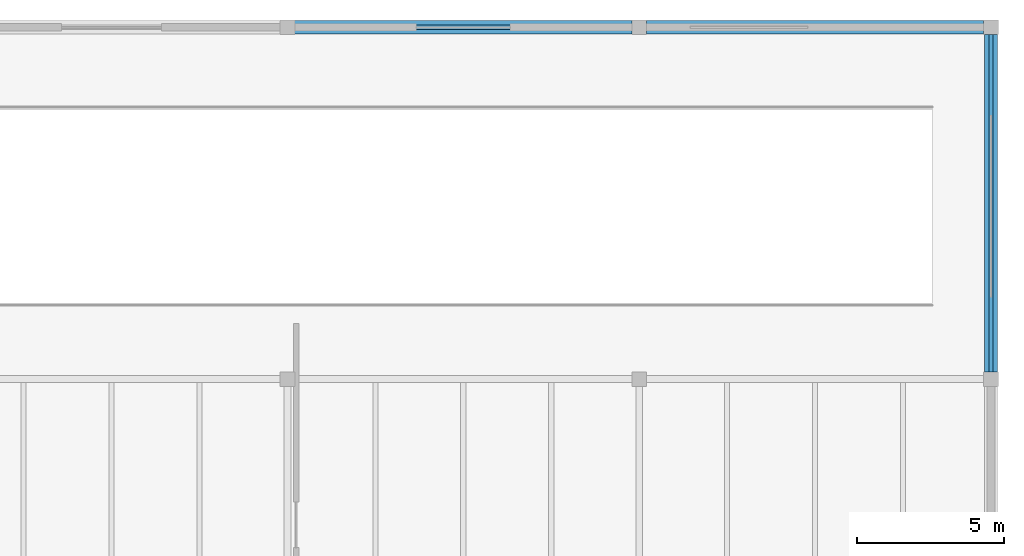
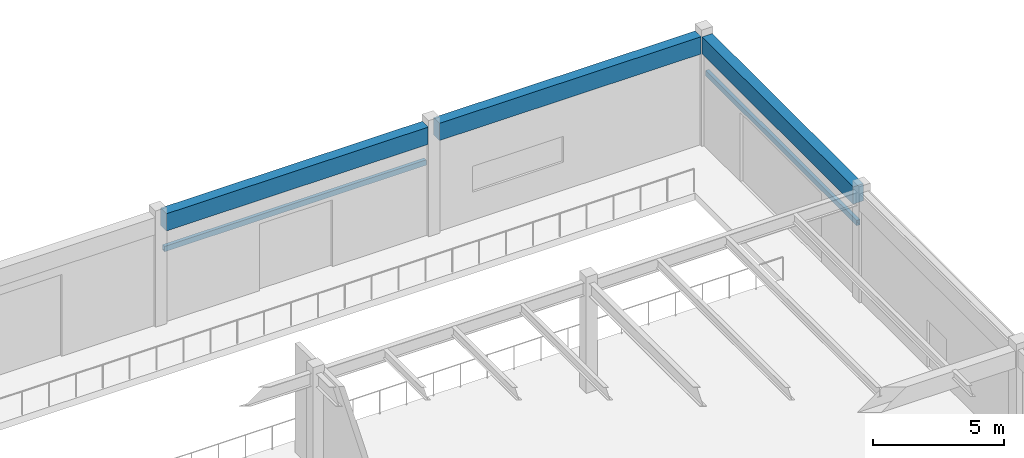
# One storey, part 127 of 188: 5 beams.
"""IFC4 building model written with IfcOpenShell, lengths in metres."""

from ifc_helpers import new_model, si_unit, direction, frame, origin, origin_2d, place, context, subcontext, project, spatial, rectangle, hollow_rectangle, extrude, material, material_profile, profile_set, type_object, element, save


model = new_model("IFC4")

# Units and contexts
model_context = context("Model", 3, precision=1e-05, world=origin(), true_north=direction((0.0, 1.0)))
body_context = subcontext(model_context, "Body", "Model", "MODEL_VIEW")
ifc_project = project(units=[si_unit("LENGTHUNIT", "METRE"), si_unit("AREAUNIT", "SQUARE_METRE"), si_unit("VOLUMEUNIT", "CUBIC_METRE"), si_unit("PLANEANGLEUNIT", "RADIAN"), si_unit("MASSUNIT", "GRAM", prefix="KILO")], contexts=[model_context])

# Site, building, storey
site_placement = place(None, origin())
site = spatial("IfcSite", under=ifc_project, at=site_placement, CompositionType="ELEMENT")
building_placement = place(site_placement, origin())
building = spatial("IfcBuilding", under=site, at=building_placement, Name="Pandanus Reach Market Hall", CompositionType="ELEMENT")
storey_placement = place(building_placement, origin())
storey = spatial("IfcBuildingStorey", under=building, at=storey_placement, Name="L00", CompositionType="ELEMENT", Elevation=0.0)

# Beams
ifc_material_1 = material(Name="Concrete N40 (40 MPa)", Category="concrete")
ifc_material_profile_1 = material_profile(ifc_material_1, rectangle(XDim=0.449951171875, YDim=0.800048828125, at=origin_2d()), Name="RC450x800", Category="LoadBearing")
ifc_profile_set_1 = profile_set([ifc_material_profile_1], Name="Concrete N40 (40 MPa)")
beam_type_1 = type_object("IfcBeamType", Name="BM-RC450-E", PredefinedType="SPANDREL", material=ifc_profile_set_1)
for number, where, z_axis, x_axis, name in (
    (1, (156.248046875, 120.0, 4.68505859375), (1.0, 0.0, 0.0), (0.0, 1.0, 0.0), "Framing beam BM-RC450-E L00.781"),
    (2, (168.248046875, 120.0, 4.68505859375), (1.0, 0.0, 0.0), (0.0, 1.0, 0.0), "Framing beam BM-RC450-E L00.782"),
    (3, (180.0, 108.248046875, 4.68505859375), (0.0, 1.0, 0.0), (-1.0, 0.0, 0.0), "Framing beam BM-RC450-E L00.802"),
):
    element("IfcBeam", number, at=place(storey_placement, frame(where, z_axis=z_axis, x_axis=x_axis)), inside=storey, type_object=beam_type_1, Name=name, PredefinedType="SPANDREL", context=body_context, shape_type="SweptSolid", body=[
        extrude(rectangle(XDim=0.449951171875, YDim=0.800048828125, at=origin_2d()), origin(), (0.0, 0.0, 1.0), 11.50390625),
    ])
ifc_material_2 = material(Name="Steel Grade 350 (350 MPa)", Category="steel")
ifc_material_profile_2 = material_profile(ifc_material_2, hollow_rectangle(XDim=0.14990234375, YDim=0.25, WallThickness=0.009033203125, at=origin_2d()), Name="250x150x9.0RHS", Category="LoadBearing")
ifc_profile_set_2 = profile_set([ifc_material_profile_2], Name="Steel Grade 350 (350 MPa)")
beam_type_2 = type_object("IfcBeamType", Name="LN-RHS250-E", PredefinedType="LINTEL", material=ifc_profile_set_2)
for number, where, z_axis, x_axis, name in (
    (4, (180.0, 108.248046875, 3.35009765625), (0.0, 1.0, 0.0), (-1.0, 0.0, 0.0), "Vehicle gate steel lintel VG-01"),
    (5, (156.248046875, 120.0, 3.35009765625), (1.0, 0.0, 0.0), (0.0, 1.0, 0.0), "Dock opening lintel 5"),
):
    element("IfcBeam", number, at=place(storey_placement, frame(where, z_axis=z_axis, x_axis=x_axis)), inside=storey, type_object=beam_type_2, Name=name, PredefinedType="LINTEL", context=body_context, shape_type="SweptSolid", body=[
        extrude(hollow_rectangle(XDim=0.14990234375, YDim=0.25, WallThickness=0.009033203125, at=origin_2d()), origin(), (0.0, 0.0, 1.0), 11.50390625),
    ])

save(model, "model.ifc")
